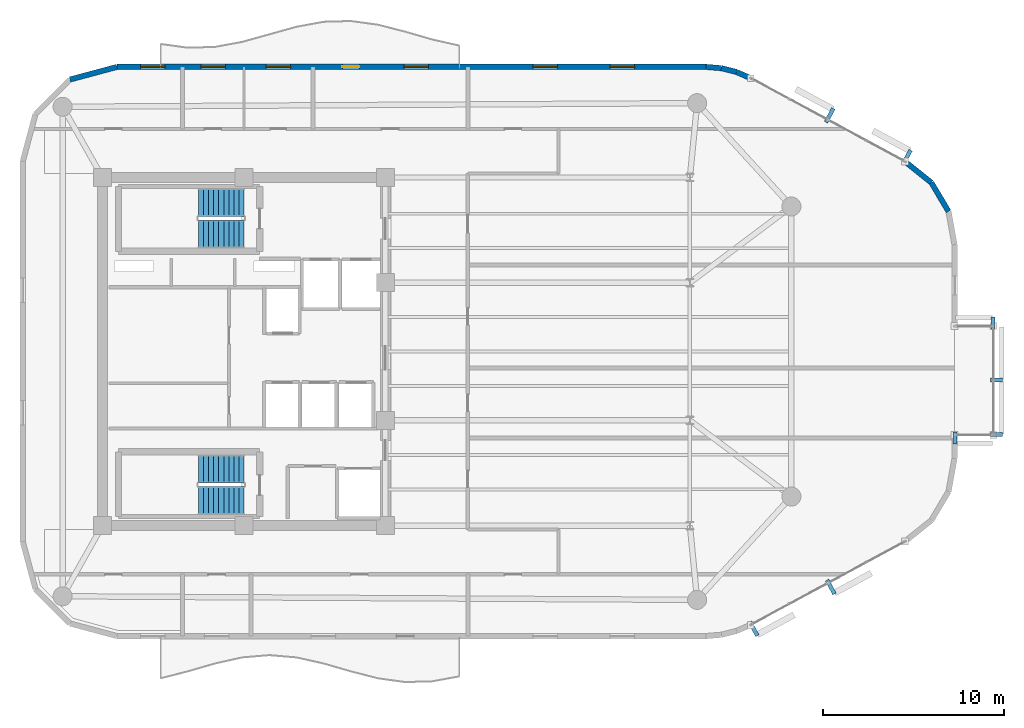
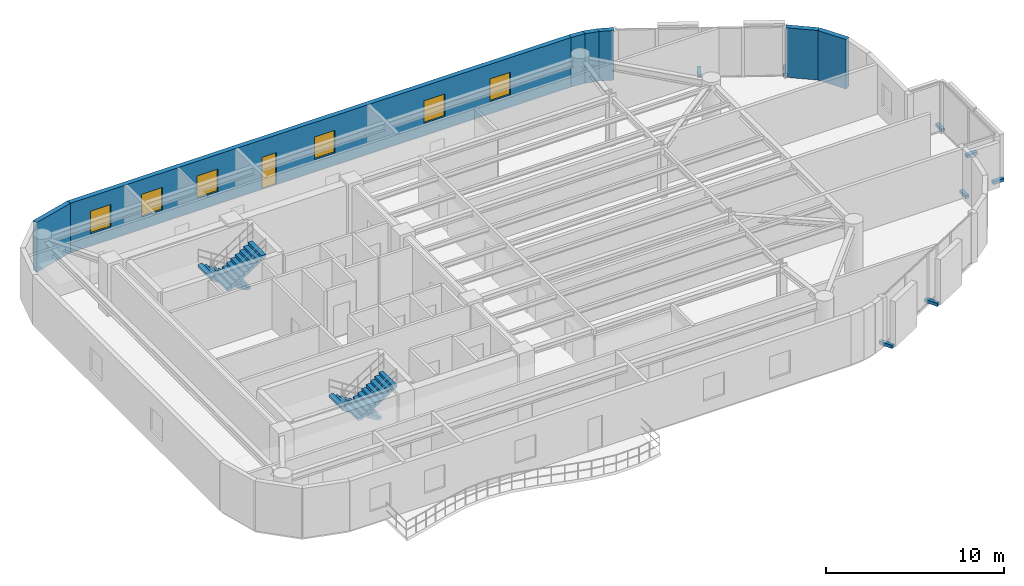
# One storey, part 12 of 14: 8 discrete accessories, 7 walls, 6 windows, 4 stair flights, 1 door, 7 openings, 2 elements without a shape of their own.
"""IFC4 building model written with IfcOpenShell, lengths in metres."""

from ifc_helpers import new_model, si_unit, direction, frame, frame_2d, origin, origin_2d, place, context, subcontext, project, spatial, polyline, rectangle, outline, extrude, material, layer, layer_set, type_object, element, fill, aggregate, save


model = new_model("IFC4")

# Units and contexts
model_context = context("Model", 3, precision=1e-05, world=origin(), true_north=direction((0.0, 1.0)))
body_context = subcontext(model_context, "Body", "Model", "MODEL_VIEW")
ifc_project = project(units=[si_unit("LENGTHUNIT", "METRE"), si_unit("AREAUNIT", "SQUARE_METRE"), si_unit("VOLUMEUNIT", "CUBIC_METRE"), si_unit("PLANEANGLEUNIT", "RADIAN"), si_unit("MASSUNIT", "GRAM", prefix="KILO")], contexts=[model_context])

# Site, building, storey
site_placement = place(None, origin())
site = spatial("IfcSite", under=ifc_project, at=site_placement, CompositionType="ELEMENT")
building_placement = place(site_placement, origin())
building = spatial("IfcBuilding", under=site, at=building_placement, Name="An Khanh Terracotta Commons", CompositionType="ELEMENT")
storey_placement = place(building_placement, frame((0.0, 0.0, 219.300048828125)))
storey = spatial("IfcBuildingStorey", under=building, at=storey_placement, Name="L57", CompositionType="ELEMENT", Elevation=219.300048828125)

# Walls
ifc_material_1 = material(Name="Precast concrete C40/50", Category="concrete")
ifc_layer = layer(ifc_material_1, 0.300048828125, Name="Precast concrete C40/50")
ifc_layer_set = layer_set([ifc_layer], Name="Precast concrete C40/50")
wall_type = type_object("IfcWallType", Name="WALL-EXT-300", PredefinedType="SOLIDWALL", material=ifc_layer_set)
wall_1_placement = place(storey_placement, frame((68.26904296875, 31.72412109375, 0.0), z_axis=(0.0, 0.0, 1.0), x_axis=(-0.512072018927, 0.858942516955, 0.0)))
element("IfcWall", 1, at=wall_1_placement, inside=storey, type_object=wall_type, Name="L57 Insulated Terracotta Exterior Wall 14", PredefinedType="SOLIDWALL", context=body_context, shape_type="SweptSolid", body=[
    extrude(rectangle(XDim=1.853271484375, YDim=0.300048828125, at=frame_2d((0.9267578125, 0.0))), origin(), (0.0, 0.0, 1.0), 3.39990234375),
])
wall_2_placement = place(storey_placement, frame((67.320068359375, 33.31591796875, 0.0), z_axis=(0.0, 0.0, 1.0), x_axis=(-0.780920189257, 0.624630817372, 0.0)))
element("IfcWall", 2, at=wall_2_placement, inside=storey, type_object=wall_type, Name="L57 Insulated Terracotta Exterior Wall 15", PredefinedType="SOLIDWALL", context=body_context, shape_type="SweptSolid", body=[
    extrude(rectangle(XDim=1.854248046875, YDim=0.300048828125, at=frame_2d((0.92724609375, 0.0))), origin(), (0.0, 0.0, 1.0), 3.39990234375),
])
wall_3_placement = place(storey_placement, frame((57.35693359375, 39.074951171875, 0.0), z_axis=(0.0, 0.0, 1.0), x_axis=(-0.916085473636, 0.400983048261, 0.0)))
element("IfcWall", 3, at=wall_3_placement, inside=storey, type_object=wall_type, Name="L57 Insulated Terracotta Exterior Wall 17", PredefinedType="SOLIDWALL", context=body_context, shape_type="SweptSolid", body=[
    extrude(rectangle(XDim=0.85791015625, YDim=0.300048828125, at=frame_2d((0.428955078125, 0.0))), origin(), (0.0, 0.0, 1.0), 3.39990234375),
])
wall_4_placement = place(storey_placement, frame((56.571044921875, 39.4189453125, 0.0), z_axis=(0.0, 0.0, 1.0), x_axis=(-0.969536346338, 0.244947490555, 0.0)))
element("IfcWall", 4, at=wall_4_placement, inside=storey, type_object=wall_type, Name="L57 Insulated Terracotta Exterior Wall 18", PredefinedType="SOLIDWALL", context=body_context, shape_type="SweptSolid", body=[
    extrude(rectangle(XDim=0.857177734375, YDim=0.300048828125, at=frame_2d((0.4287109375, 0.0))), origin(), (0.0, 0.0, 1.0), 3.39990234375),
])
wall_5_placement = place(storey_placement, frame((55.739990234375, 39.62890625, 0.0), z_axis=(0.0, 0.0, 1.0), x_axis=(-0.996565355958, 0.082809971041, 0.0)))
element("IfcWall", 5, at=wall_5_placement, inside=storey, type_object=wall_type, Name="L57 Insulated Terracotta Exterior Wall 19", PredefinedType="SOLIDWALL", context=body_context, shape_type="SweptSolid", body=[
    extrude(rectangle(XDim=0.85791015625, YDim=0.300048828125, at=frame_2d((0.428955078125, 0.0))), origin(), (0.0, 0.0, 1.0), 3.39990234375),
])

# Wall, openings, door, windows
wall_6_placement = place(storey_placement, frame((54.885009765625, 39.699951171875, 0.0), z_axis=(0.0, 0.0, 1.0), x_axis=(-1.0, 0.0, 0.0)))
wall_6 = element("IfcWall", 6, at=wall_6_placement, inside=storey, type_object=wall_type, Name="L57 Insulated Terracotta Exterior Wall 20", PredefinedType="SOLIDWALL", context=body_context, shape_type="SweptSolid", body=[
    extrude(rectangle(XDim=32.485107421875, YDim=0.300048828125, at=frame_2d((16.24267578125, 0.0))), origin(), (0.0, 0.0, 1.0), 3.39990234375),
])
opening_1_placement = place(wall_6_placement, frame((19.110107421875, 0.0, 0.0)))
opening_1 = element("IfcOpeningElement", 7, at=opening_1_placement, cuts=wall_6, Name="Opening D-BAL", PredefinedType="OPENING", context=body_context, shape_type="SweptSolid", body=[
    extrude(rectangle(XDim=0.949951171875, YDim=2.199951171875, at=frame_2d((0.47509765625, 1.10009765625))), frame((0.0, 0.159912109375, 0.0), z_axis=(0.0, -1.0, 0.0), x_axis=(1.0, 0.0, 0.0)), (0.0, 0.0, 1.0), 0.320068359375),
])
opening_2_placement = place(wall_6_placement, frame((3.93701171875, 0.0, 0.85009765625)))
opening_2 = element("IfcOpeningElement", 8, at=opening_2_placement, cuts=wall_6, Name="Opening W-04", PredefinedType="OPENING", context=body_context, shape_type="SweptSolid", body=[
    extrude(rectangle(XDim=1.35009765625, YDim=1.550048828125, at=frame_2d((0.675048828125, 0.77490234375))), frame((0.0, 0.159912109375, 0.0), z_axis=(0.0, -1.0, 0.0), x_axis=(1.0, 0.0, 0.0)), (0.0, 0.0, 1.0), 0.320068359375),
])
opening_3_placement = place(wall_6_placement, frame((8.197998046875, 0.0, 0.85009765625)))
opening_3 = element("IfcOpeningElement", 9, at=opening_3_placement, cuts=wall_6, Name="Opening W-04", PredefinedType="OPENING", context=body_context, shape_type="SweptSolid", body=[
    extrude(rectangle(XDim=1.35009765625, YDim=1.550048828125, at=frame_2d((0.675048828125, 0.77490234375))), frame((0.0, 0.159912109375, 0.0), z_axis=(0.0, -1.0, 0.0), x_axis=(1.0, 0.0, 0.0)), (0.0, 0.0, 1.0), 0.320068359375),
])
opening_4_placement = place(wall_6_placement, frame((15.31005859375, 0.0, 0.85009765625)))
opening_4 = element("IfcOpeningElement", 10, at=opening_4_placement, cuts=wall_6, Name="Opening W-04", PredefinedType="OPENING", context=body_context, shape_type="SweptSolid", body=[
    extrude(rectangle(XDim=1.35009765625, YDim=1.550048828125, at=frame_2d((0.675048828125, 0.77490234375))), frame((0.0, 0.159912109375, 0.0), z_axis=(0.0, -1.0, 0.0), x_axis=(1.0, 0.0, 0.0)), (0.0, 0.0, 1.0), 0.320068359375),
])
opening_5_placement = place(wall_6_placement, frame((22.909912109375, 0.0, 0.85009765625)))
opening_5 = element("IfcOpeningElement", 11, at=opening_5_placement, cuts=wall_6, Name="Opening W-04", PredefinedType="OPENING", context=body_context, shape_type="SweptSolid", body=[
    extrude(rectangle(XDim=1.35009765625, YDim=1.550048828125, at=frame_2d((0.675048828125, 0.77490234375))), frame((0.0, 0.159912109375, 0.0), z_axis=(0.0, -1.0, 0.0), x_axis=(1.0, 0.0, 0.0)), (0.0, 0.0, 1.0), 0.320068359375),
])
opening_6_placement = place(wall_6_placement, frame((26.510009765625, 0.0, 0.85009765625)))
opening_6 = element("IfcOpeningElement", 12, at=opening_6_placement, cuts=wall_6, Name="Opening W-04", PredefinedType="OPENING", context=body_context, shape_type="SweptSolid", body=[
    extrude(rectangle(XDim=1.35009765625, YDim=1.550048828125, at=frame_2d((0.675048828125, 0.77490234375))), frame((0.0, 0.159912109375, 0.0), z_axis=(0.0, -1.0, 0.0), x_axis=(1.0, 0.0, 0.0)), (0.0, 0.0, 1.0), 0.320068359375),
])
opening_7_placement = place(wall_6_placement, frame((29.8349609375, 0.0, 0.85009765625)))
opening_7 = element("IfcOpeningElement", 13, at=opening_7_placement, cuts=wall_6, Name="Opening W-04", PredefinedType="OPENING", context=body_context, shape_type="SweptSolid", body=[
    extrude(rectangle(XDim=1.35009765625, YDim=1.550048828125, at=frame_2d((0.675048828125, 0.77490234375))), frame((0.0, 0.159912109375, 0.0), z_axis=(0.0, -1.0, 0.0), x_axis=(1.0, 0.0, 0.0)), (0.0, 0.0, 1.0), 0.320068359375),
])
ifc_material_2 = material(Name="Thermally Broken Aluminium and Low-E Glass", Category="aluminium")
door_type = type_object("IfcDoorType", Name="DOOR-BALC-950", OperationType="NOTDEFINED", PredefinedType="DOOR", material=ifc_material_2)
door_placement = place(opening_1_placement, origin())
door = element("IfcDoor", 14, at=door_placement, inside=storey, type_object=door_type, Name="L57 N Wave Balcony Glazed Door", OperationType="SINGLE_SWING_RIGHT", OverallHeight=2.199951171875, OverallWidth=0.949951171875, PredefinedType="DOOR", context=body_context, shape_type="SweptSolid", body=[
    extrude(rectangle(XDim=0.949951171875, YDim=2.199951171875, at=frame_2d((0.47509765625, 1.10009765625))), frame((0.0, 0.02490234375, 0.0), z_axis=(0.0, -1.0, 0.0), x_axis=(1.0, 0.0, 0.0)), (0.0, 0.0, 1.0), 0.050048828125),
])
fill(opening_1, door)
window_type = type_object("IfcWindowType", Name="WIN-Z4-1350x1550", PartitioningType="SINGLE_PANEL", PredefinedType="WINDOW", material=ifc_material_2)
window_1_placement = place(opening_2_placement, origin())
window_1 = element("IfcWindow", 15, at=window_1_placement, inside=storey, type_object=window_type, Name="L57 Operable Casement Window 20.1", OverallHeight=1.550048828125, OverallWidth=1.35009765625, PartitioningType="SINGLE_PANEL", PredefinedType="WINDOW", context=body_context, shape_type="SweptSolid", body=[
    extrude(rectangle(XDim=1.35009765625, YDim=1.550048828125, at=frame_2d((0.675048828125, 0.77490234375))), frame((0.0, 0.030029296875, 0.0), z_axis=(0.0, -1.0, 0.0), x_axis=(1.0, 0.0, 0.0)), (0.0, 0.0, 1.0), 0.06005859375),
])
fill(opening_2, window_1)
window_2_placement = place(opening_3_placement, origin())
window_2 = element("IfcWindow", 16, at=window_2_placement, inside=storey, type_object=window_type, Name="L57 Operable Casement Window 20.2", OverallHeight=1.550048828125, OverallWidth=1.35009765625, PartitioningType="SINGLE_PANEL", PredefinedType="WINDOW", context=body_context, shape_type="SweptSolid", body=[
    extrude(rectangle(XDim=1.35009765625, YDim=1.550048828125, at=frame_2d((0.675048828125, 0.77490234375))), frame((0.0, 0.030029296875, 0.0), z_axis=(0.0, -1.0, 0.0), x_axis=(1.0, 0.0, 0.0)), (0.0, 0.0, 1.0), 0.06005859375),
])
fill(opening_3, window_2)
window_3_placement = place(opening_4_placement, origin())
window_3 = element("IfcWindow", 17, at=window_3_placement, inside=storey, type_object=window_type, Name="L57 Operable Casement Window 20.3", OverallHeight=1.550048828125, OverallWidth=1.35009765625, PartitioningType="SINGLE_PANEL", PredefinedType="WINDOW", context=body_context, shape_type="SweptSolid", body=[
    extrude(rectangle(XDim=1.35009765625, YDim=1.550048828125, at=frame_2d((0.675048828125, 0.77490234375))), frame((0.0, 0.030029296875, 0.0), z_axis=(0.0, -1.0, 0.0), x_axis=(1.0, 0.0, 0.0)), (0.0, 0.0, 1.0), 0.06005859375),
])
fill(opening_4, window_3)
window_4_placement = place(opening_5_placement, origin())
window_4 = element("IfcWindow", 18, at=window_4_placement, inside=storey, type_object=window_type, Name="L57 Operable Casement Window 20.4", OverallHeight=1.550048828125, OverallWidth=1.35009765625, PartitioningType="SINGLE_PANEL", PredefinedType="WINDOW", context=body_context, shape_type="SweptSolid", body=[
    extrude(rectangle(XDim=1.35009765625, YDim=1.550048828125, at=frame_2d((0.675048828125, 0.77490234375))), frame((0.0, 0.030029296875, 0.0), z_axis=(0.0, -1.0, 0.0), x_axis=(1.0, 0.0, 0.0)), (0.0, 0.0, 1.0), 0.06005859375),
])
fill(opening_5, window_4)
window_5_placement = place(opening_6_placement, origin())
window_5 = element("IfcWindow", 19, at=window_5_placement, inside=storey, type_object=window_type, Name="L57 Operable Casement Window 20.5", OverallHeight=1.550048828125, OverallWidth=1.35009765625, PartitioningType="SINGLE_PANEL", PredefinedType="WINDOW", context=body_context, shape_type="SweptSolid", body=[
    extrude(rectangle(XDim=1.35009765625, YDim=1.550048828125, at=frame_2d((0.675048828125, 0.77490234375))), frame((0.0, 0.030029296875, 0.0), z_axis=(0.0, -1.0, 0.0), x_axis=(1.0, 0.0, 0.0)), (0.0, 0.0, 1.0), 0.06005859375),
])
fill(opening_6, window_5)
window_6_placement = place(opening_7_placement, origin())
window_6 = element("IfcWindow", 20, at=window_6_placement, inside=storey, type_object=window_type, Name="L57 Operable Casement Window 20.6", OverallHeight=1.550048828125, OverallWidth=1.35009765625, PartitioningType="SINGLE_PANEL", PredefinedType="WINDOW", context=body_context, shape_type="SweptSolid", body=[
    extrude(rectangle(XDim=1.35009765625, YDim=1.550048828125, at=frame_2d((0.675048828125, 0.77490234375))), frame((0.0, 0.030029296875, 0.0), z_axis=(0.0, -1.0, 0.0), x_axis=(1.0, 0.0, 0.0)), (0.0, 0.0, 1.0), 0.06005859375),
])
fill(opening_7, window_6)

# Wall
wall_7_placement = place(storey_placement, frame((22.39990234375, 39.699951171875, 0.0), z_axis=(0.0, 0.0, 1.0), x_axis=(-0.965889330541, -0.258955210695, 0.0)))
element("IfcWall", 21, at=wall_7_placement, inside=storey, type_object=wall_type, Name="L57 Insulated Terracotta Exterior Wall 21", PredefinedType="SOLIDWALL", context=body_context, shape_type="SweptSolid", body=[
    extrude(rectangle(XDim=2.691650390625, YDim=0.300048828125, at=frame_2d((1.345703125, 0.0))), origin(), (0.0, 0.0, 1.0), 3.39990234375),
])

# Stair, stair flights
stair_type = type_object("IfcStairType", Name="STAIR-CORE-1550", PredefinedType="HALF_TURN_STAIR", material=ifc_material_1)
stair_1_placement = place(storey_placement, origin())
stair_1 = element("IfcStair", 22, at=stair_1_placement, inside=storey, type_object=stair_type, Name="L57 Core Smokeproof Exit Stair ST-01", PredefinedType="HALF_TURN_STAIR")
stair_flight_type = type_object("IfcStairFlightType", Name="FLIGHT-CORE-1550", PredefinedType="STRAIGHT", material=ifc_material_1)
stair_flight_1_placement = place(storey_placement, frame((29.409912109375, 32.22509765625, 0.0), z_axis=(0.0, 0.0, 1.0), x_axis=(-1.0, 0.0, 0.0)))
stair_flight_1 = element("IfcStairFlight", 23, at=stair_flight_1_placement, type_object=stair_flight_type, Name="ST-01 flight 1", NumberOfRisers=10, NumberOfTreads=9, PredefinedType="STRAIGHT", RiserHeight=0.18, TreadLength=0.28, context=body_context, shape_type="SweptSolid", body=[
    extrude(outline(polyline([(0.0, 0.0), (0.0, 0.179931640625), (0.280029296875, 0.179931640625), (0.280029296875, 0.360107421875), (0.56005859375, 0.360107421875), (0.56005859375, 0.5400390625), (0.840087890625, 0.5400390625), (0.840087890625, 0.719970703125), (1.1201171875, 0.719970703125), (1.1201171875, 0.89990234375), (1.39990234375, 0.89990234375), (1.39990234375, 1.080078125), (1.679931640625, 1.080078125), (1.679931640625, 1.260009765625), (1.9599609375, 1.260009765625), (1.9599609375, 1.43994140625), (2.239990234375, 1.43994140625), (2.239990234375, 1.6201171875), (2.52001953125, 1.6201171875), (2.52001953125, 1.800048828125), (2.52001953125, 1.44189453125), (0.277099609375, 0.0), (0.0, 0.0)])), frame((0.0, 0.77490234375, 0.0), z_axis=(0.0, -1.0, 0.0), x_axis=(1.0, 0.0, 0.0)), (0.0, 0.0, 1.0), 1.550048828125),
])
stair_flight_2_placement = place(storey_placement, frame((26.889892578125, 30.47509765625, 1.800048828125), z_axis=(0.0, 0.0, 1.0), x_axis=(1.0, 0.0, 0.0)))
stair_flight_2 = element("IfcStairFlight", 24, at=stair_flight_2_placement, type_object=stair_flight_type, Name="ST-01 flight 2", NumberOfRisers=10, NumberOfTreads=9, PredefinedType="STRAIGHT", RiserHeight=0.18, TreadLength=0.28, context=body_context, shape_type="SweptSolid", body=[
    extrude(outline(polyline([(0.0, 0.0), (0.0, 0.179931640625), (0.280029296875, 0.179931640625), (0.280029296875, 0.360107421875), (0.56005859375, 0.360107421875), (0.56005859375, 0.5400390625), (0.840087890625, 0.5400390625), (0.840087890625, 0.719970703125), (1.1201171875, 0.719970703125), (1.1201171875, 0.89990234375), (1.39990234375, 0.89990234375), (1.39990234375, 1.080078125), (1.679931640625, 1.080078125), (1.679931640625, 1.260009765625), (1.9599609375, 1.260009765625), (1.9599609375, 1.43994140625), (2.239990234375, 1.43994140625), (2.239990234375, 1.6201171875), (2.52001953125, 1.6201171875), (2.52001953125, 1.800048828125), (2.52001953125, 1.44189453125), (0.277099609375, 0.0), (0.0, 0.0)])), frame((0.0, 0.77490234375, 0.0), z_axis=(0.0, -1.0, 0.0), x_axis=(1.0, 0.0, 0.0)), (0.0, 0.0, 1.0), 1.550048828125),
])
aggregate(stair_1, [stair_flight_1, stair_flight_2])

stair_2_placement = place(storey_placement, origin())
stair_2 = element("IfcStair", 25, at=stair_2_placement, inside=storey, type_object=stair_type, Name="L57 Core Smokeproof Exit Stair ST-02", PredefinedType="HALF_TURN_STAIR")
stair_flight_3_placement = place(storey_placement, frame((29.409912109375, 17.52490234375, 0.0), z_axis=(0.0, 0.0, 1.0), x_axis=(-1.0, 0.0, 0.0)))
stair_flight_3 = element("IfcStairFlight", 26, at=stair_flight_3_placement, type_object=stair_flight_type, Name="ST-02 flight 1", NumberOfRisers=10, NumberOfTreads=9, PredefinedType="STRAIGHT", RiserHeight=0.18, TreadLength=0.28, context=body_context, shape_type="SweptSolid", body=[
    extrude(outline(polyline([(0.0, 0.0), (0.0, 0.179931640625), (0.280029296875, 0.179931640625), (0.280029296875, 0.360107421875), (0.56005859375, 0.360107421875), (0.56005859375, 0.5400390625), (0.840087890625, 0.5400390625), (0.840087890625, 0.719970703125), (1.1201171875, 0.719970703125), (1.1201171875, 0.89990234375), (1.39990234375, 0.89990234375), (1.39990234375, 1.080078125), (1.679931640625, 1.080078125), (1.679931640625, 1.260009765625), (1.9599609375, 1.260009765625), (1.9599609375, 1.43994140625), (2.239990234375, 1.43994140625), (2.239990234375, 1.6201171875), (2.52001953125, 1.6201171875), (2.52001953125, 1.800048828125), (2.52001953125, 1.44189453125), (0.277099609375, 0.0), (0.0, 0.0)])), frame((0.0, 0.77490234375, 0.0), z_axis=(0.0, -1.0, 0.0), x_axis=(1.0, 0.0, 0.0)), (0.0, 0.0, 1.0), 1.550048828125),
])
stair_flight_4_placement = place(storey_placement, frame((26.889892578125, 15.77490234375, 1.800048828125), z_axis=(0.0, 0.0, 1.0), x_axis=(1.0, 0.0, 0.0)))
stair_flight_4 = element("IfcStairFlight", 27, at=stair_flight_4_placement, type_object=stair_flight_type, Name="ST-02 flight 2", NumberOfRisers=10, NumberOfTreads=9, PredefinedType="STRAIGHT", RiserHeight=0.18, TreadLength=0.28, context=body_context, shape_type="SweptSolid", body=[
    extrude(outline(polyline([(0.0, 0.0), (0.0, 0.179931640625), (0.280029296875, 0.179931640625), (0.280029296875, 0.360107421875), (0.56005859375, 0.360107421875), (0.56005859375, 0.5400390625), (0.840087890625, 0.5400390625), (0.840087890625, 0.719970703125), (1.1201171875, 0.719970703125), (1.1201171875, 0.89990234375), (1.39990234375, 0.89990234375), (1.39990234375, 1.080078125), (1.679931640625, 1.080078125), (1.679931640625, 1.260009765625), (1.9599609375, 1.260009765625), (1.9599609375, 1.43994140625), (2.239990234375, 1.43994140625), (2.239990234375, 1.6201171875), (2.52001953125, 1.6201171875), (2.52001953125, 1.800048828125), (2.52001953125, 1.44189453125), (0.277099609375, 0.0), (0.0, 0.0)])), frame((0.0, 0.77490234375, 0.0), z_axis=(0.0, -1.0, 0.0), x_axis=(1.0, 0.0, 0.0)), (0.0, 0.0, 1.0), 1.550048828125),
])
aggregate(stair_2, [stair_flight_3, stair_flight_4])

# Discrete accessories
ifc_material_3 = material(Name="Stainless Steel Grade 316L", Category="steel")
discrete_accessory_type = type_object("IfcDiscreteAccessoryType", Name="Stainless Outrigger Facade Bracket", PredefinedType="BRACKET", material=ifc_material_3)
for number, where, z_axis, x_axis, name in (
    (28, (57.513916015625, 8.7080078125, 0.06982421875), (0.0, 0.0, 1.0), (0.879780095306, 0.47538088298, 0.0), "L57 Terracotta Screen Outrigger Bracket 1"),
    (29, (61.77099609375, 11.009033203125, 0.06982421875), (0.0, 0.0, 1.0), (0.879780095306, 0.47538088298, 0.0), "L57 Terracotta Screen Outrigger Bracket 3"),
):
    element("IfcDiscreteAccessory", number, at=place(storey_placement, frame(where, z_axis=z_axis, x_axis=x_axis)), inside=storey, type_object=discrete_accessory_type, Name=name, PredefinedType="BRACKET", context=body_context, shape_type="SweptSolid", body=[
        extrude(rectangle(XDim=0.219970703125, YDim=0.8701171875, at=origin_2d()), origin(), (0.0, 0.0, 1.0), 0.219970703125),
    ])
for number, where, z_axis, x_axis, name in (
    (30, (70.9150390625, 19.431884765625, 0.06982421875), (0.0, 0.0, 1.0), (0.0, 1.0, 0.0), "L57 Terracotta Screen Outrigger Bracket 1"),
    (31, (70.9150390625, 22.431884765625, 0.06982421875), (0.0, 0.0, 1.0), (0.0, 1.0, 0.0), "L57 Terracotta Screen Outrigger Bracket 2"),
    (32, (68.632080078125, 19.235107421875, 0.06982421875), (0.0, 0.0, 1.0), (1.0, 0.0, 0.0), "L57 Terracotta Screen Outrigger Bracket 1"),
    (33, (70.718017578125, 25.56494140625, 0.06982421875), (0.0, 0.0, 1.0), (-1.0, 0.0, 0.0), "L57 Terracotta Screen Outrigger Bracket 1"),
):
    element("IfcDiscreteAccessory", number, at=place(storey_placement, frame(where, z_axis=z_axis, x_axis=x_axis)), inside=storey, type_object=discrete_accessory_type, Name=name, PredefinedType="BRACKET", context=body_context, shape_type="SweptSolid", body=[
        extrude(rectangle(XDim=0.219970703125, YDim=0.669921875, at=origin_2d()), origin(), (0.0, 0.0, 1.0), 0.219970703125),
    ])
for number, where, z_axis, x_axis, name in (
    (34, (65.967041015625, 34.72412109375, 0.06982421875), (0.0, 0.0, 1.0), (-0.879780095306, 0.47538088298, 0.0), "L57 Terracotta Screen Outrigger Bracket 1"),
    (35, (61.7099609375, 37.02392578125, 0.06982421875), (0.0, 0.0, 1.0), (-0.879780095306, 0.47538088298, 0.0), "L57 Terracotta Screen Outrigger Bracket 3"),
):
    element("IfcDiscreteAccessory", number, at=place(storey_placement, frame(where, z_axis=z_axis, x_axis=x_axis)), inside=storey, type_object=discrete_accessory_type, Name=name, PredefinedType="BRACKET", context=body_context, shape_type="SweptSolid", body=[
        extrude(rectangle(XDim=0.219970703125, YDim=0.8701171875, at=origin_2d()), origin(), (0.0, 0.0, 1.0), 0.219970703125),
    ])

save(model, "model.ifc")
